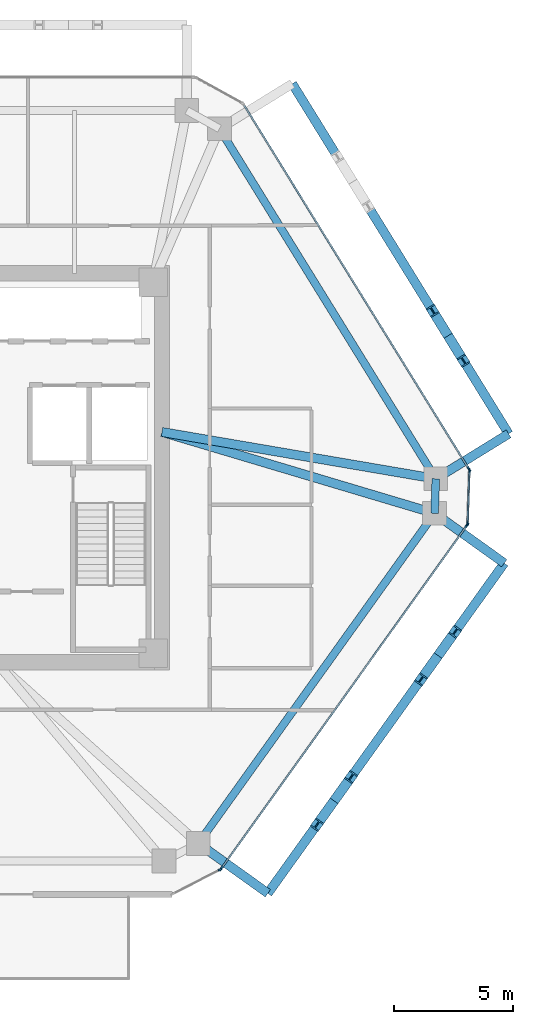
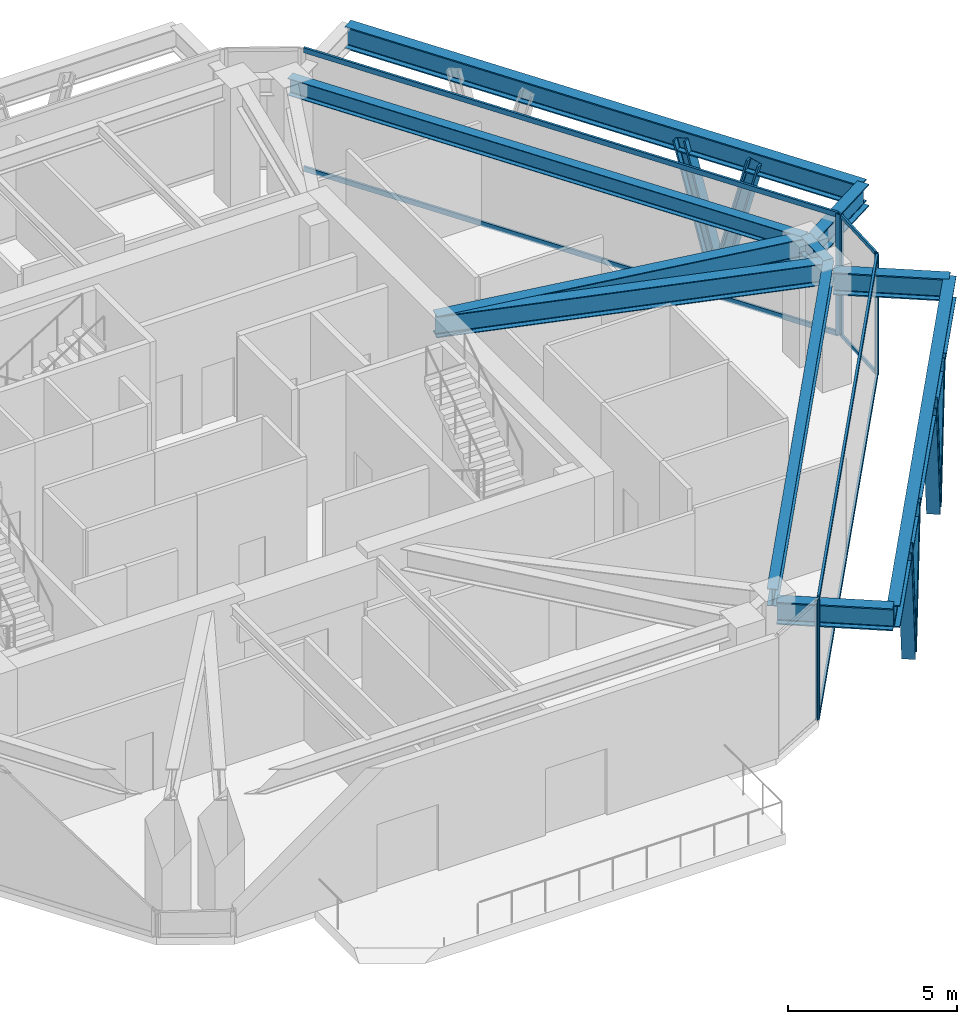
# One storey, part 5 of 12: 18 members, 10 beams, 4 elements without a shape of their own.
"""IFC4 building model written with IfcOpenShell, lengths in metres."""

import ifcopenshell
import ifcopenshell.guid

model = None  # the IFC model being written
_history = None  # IfcOwnerHistory: only IFC2X3 demands one
_inside = {}  # id of a spatial element -> (the spatial element, [elements in it])
_under = {}  # id of a project, library or spatial element -> (it, [spatial elements below it])
_declared = {}  # id of a project -> (the project, [libraries it declares])
_typed = {}  # id of a type object -> (the type object, [elements of that type])
_made_of = {}  # id of a material, layer set ... -> (it, [elements and type objects made of it])


def new_model(schema):
    """Start an empty IFC model of exactly this schema.

    Asked for "IFC4X3", IfcOpenShell would pick the latest addendum, in which some entities
    have other attributes; the version numbers below select the first issue.
    IFC2X3 requires an IfcOwnerHistory on every rooted entity: one is made here for all.
    """
    global model, _history
    if schema == "IFC4X3":
        model = ifcopenshell.file(schema_version=(4, 3, 0, 0))
    else:
        model = ifcopenshell.file(schema=schema)
    _inside.clear()
    _under.clear()
    _declared.clear()
    _typed.clear()
    _made_of.clear()
    _history = None
    if model.schema == "IFC2X3":
        org = make("IfcOrganization", Name="unknown")
        user = make(
            "IfcPersonAndOrganization",
            ThePerson=make("IfcPerson", FamilyName="unknown"),
            TheOrganization=org,
        )
        app = make(
            "IfcApplication",
            ApplicationDeveloper=org,
            Version="unknown",
            ApplicationFullName="unknown",
            ApplicationIdentifier="unknown",
        )
        _history = make(
            "IfcOwnerHistory",
            OwningUser=user,
            OwningApplication=app,
            ChangeAction="ADDED",
            CreationDate=0,
        )
    return model


def make(cls, **values):
    """One entity of the class cls with the attributes given. An attribute that is None is left unset."""
    return model.create_entity(
        cls, **{name: value for name, value in values.items() if value is not None}
    )


def rooted(cls, **values):
    """An entity with a GlobalId (a new one), such as an element, a storey or a relation."""
    return make(cls, GlobalId=ifcopenshell.guid.new(), OwnerHistory=_history, **values)


def si_unit(unit_type, name, prefix=None):
    """IfcSIUnit, for example si_unit("LENGTHUNIT", "METRE", prefix="MILLI")."""
    return make("IfcSIUnit", UnitType=unit_type, Prefix=prefix, Name=name)


def assignment(units):
    """IfcUnitAssignment: the units of a project."""
    return None if units is None else make("IfcUnitAssignment", Units=units)


def point(xyz):
    """IfcCartesianPoint."""
    return None if xyz is None else make("IfcCartesianPoint", Coordinates=xyz)


def direction(xyz):
    """IfcDirection."""
    return None if xyz is None else make("IfcDirection", DirectionRatios=xyz)


def frame(location, z_axis=None, x_axis=None):
    """IfcAxis2Placement3D, a coordinate frame: its origin and axes. An axis left out is left unset."""
    return make(
        "IfcAxis2Placement3D",
        Location=point(location),
        Axis=direction(z_axis),
        RefDirection=direction(x_axis),
    )


def frame_2d(location, x_axis=None):
    """IfcAxis2Placement2D, a coordinate frame in the plane: its origin and x axis."""
    return make(
        "IfcAxis2Placement2D", Location=point(location), RefDirection=direction(x_axis)
    )


def origin():
    """The frame at (0, 0, 0) with its axes left unset."""
    return frame((0.0, 0.0, 0.0))


def origin_2d():
    """The frame at (0, 0) in the plane with its x axis left unset."""
    return frame_2d((0.0, 0.0))


def place(relative_to, where):
    """IfcLocalPlacement: puts the frame where relative to a parent placement (None: the world)."""
    return make(
        "IfcLocalPlacement", PlacementRelTo=relative_to, RelativePlacement=where
    )


def context(
    kind, dimensions, precision=None, world=None, true_north=None, identifier=None
):
    """IfcGeometricRepresentationContext, for example the 3D "Model" context."""
    return make(
        "IfcGeometricRepresentationContext",
        ContextIdentifier=identifier,
        ContextType=kind,
        CoordinateSpaceDimension=dimensions,
        Precision=precision,
        WorldCoordinateSystem=world,
        TrueNorth=true_north,
    )


def subcontext(parent, identifier, kind, view, scale=None):
    """IfcGeometricRepresentationSubContext, for example "Body" below "Model"."""
    return make(
        "IfcGeometricRepresentationSubContext",
        ContextIdentifier=identifier,
        ContextType=kind,
        ParentContext=parent,
        TargetScale=scale,
        TargetView=view,
    )


def project(units=None, contexts=None):
    """IfcProject with its units and contexts."""
    return rooted(
        "IfcProject",
        Name="project",
        RepresentationContexts=contexts,
        UnitsInContext=assignment(units),
    )


def spatial(cls, under=None, at=None, **own):
    """A site, building, storey or space (cls), placed at a placement, below another one or the project."""
    s = rooted(cls, ObjectPlacement=at, **own)
    if under is not None:
        _under.setdefault(under.id(), (under, []))[1].append(s)
    return s


def profile(cls, at=None, kind="AREA", **sizes):
    """A parametric profile (cls). Its sizes go by their IFC names, for example OverallWidth=200.0."""
    return make(cls, ProfileType=kind, Position=at, **sizes)


def rectangle(**sizes):
    """IfcRectangleProfileDef."""
    return profile("IfcRectangleProfileDef", **sizes)


def i_section(**sizes):
    """IfcIShapeProfileDef."""
    return profile("IfcIShapeProfileDef", **sizes)


def extrude(swept, where, along, depth):
    """IfcExtrudedAreaSolid: the profile swept, set in the frame where, extruded along a direction by depth."""
    return make(
        "IfcExtrudedAreaSolid",
        SweptArea=swept,
        Position=where,
        ExtrudedDirection=direction(along),
        Depth=depth,
    )


def shape(context_of_items, identifier, shape_type, items):
    """IfcShapeRepresentation: the items that make up one representation, for example the "Body"."""
    return make(
        "IfcShapeRepresentation",
        ContextOfItems=context_of_items,
        RepresentationIdentifier=identifier,
        RepresentationType=shape_type,
        Items=items,
    )


def source(mapping_origin, context_of_items, identifier, shape_type, items):
    """IfcRepresentationMap: a shape defined once, which mapped items show again and again."""
    return make(
        "IfcRepresentationMap",
        MappingOrigin=mapping_origin,
        MappedRepresentation=shape(context_of_items, identifier, shape_type, items),
    )


def transform(
    local_origin,
    x_axis=None,
    y_axis=None,
    z_axis=None,
    scale=None,
    scale2=None,
    scale3=None,
    uniform=True,
):
    """IfcCartesianTransformationOperator3D, or its non-uniform kind. x_axis, y_axis, z_axis: its Axis1, 2, 3."""
    if uniform:
        return make(
            "IfcCartesianTransformationOperator3D",
            Axis1=direction(x_axis),
            Axis2=direction(y_axis),
            LocalOrigin=point(local_origin),
            Scale=scale,
            Axis3=direction(z_axis),
        )
    return make(
        "IfcCartesianTransformationOperator3DnonUniform",
        Axis1=direction(x_axis),
        Axis2=direction(y_axis),
        LocalOrigin=point(local_origin),
        Scale=scale,
        Axis3=direction(z_axis),
        Scale2=scale2,
        Scale3=scale3,
    )


def mapped(mapping_source, mapping_target):
    """IfcMappedItem: shows the shape of a source again, moved by a transform."""
    return make(
        "IfcMappedItem", MappingSource=mapping_source, MappingTarget=mapping_target
    )


def material(Name=None, Category=None):
    """IfcMaterial."""
    return make("IfcMaterial", Name=Name, Category=Category)


def layer(
    of_material, thickness, ventilated=None, Name=None, Category=None, Priority=None
):
    """IfcMaterialLayer: one layer of a wall or slab, of a material (None: an air gap)."""
    return make(
        "IfcMaterialLayer",
        Material=of_material,
        LayerThickness=thickness,
        IsVentilated=ventilated,
        Name=Name,
        Category=Category,
        Priority=Priority,
    )


def layer_set(layers, Name=None):
    """IfcMaterialLayerSet."""
    return make("IfcMaterialLayerSet", MaterialLayers=layers, LayerSetName=Name)


def material_profile(
    of_material, cross_section, Name=None, Category=None, Priority=None
):
    """IfcMaterialProfile: a cross section and its material."""
    return make(
        "IfcMaterialProfile",
        Name=Name,
        Material=of_material,
        Profile=cross_section,
        Priority=Priority,
        Category=Category,
    )


def profile_set(profiles, Name=None, composite=None):
    """IfcMaterialProfileSet."""
    return make(
        "IfcMaterialProfileSet",
        Name=Name,
        MaterialProfiles=profiles,
        CompositeProfile=composite,
    )


def made_of(thing, what):
    """Note that an element or type object is made of a material, layer set ...; save() writes the relation."""
    if what is not None:
        _made_of.setdefault(what.id(), (what, []))[1].append(thing)
    return thing


def type_object(cls, material=None, **own):
    """A type object (cls), such as IfcWallType, which elements share."""
    return made_of(rooted(cls, **own), material)


def type_shapes(of_type, sources):
    """Give a type object the sources (RepresentationMaps) that its elements show as mapped items."""
    of_type.RepresentationMaps = sources


def element(
    cls,
    number,
    at=None,
    inside=None,
    cuts=None,
    type_object=None,
    material=None,
    context=None,
    identifier="Body",
    shape_type=None,
    held_by="IfcProductDefinitionShape",
    body=None,
    shapes=None,
    **own,
):
    """One element of the class cls, such as IfcWall. Its Tag is "e" and its number.

    at: its placement. inside: the storey or other place that contains it. cuts: it is an
    opening in that element (IfcRelVoidsElement). A single representation is given by context,
    identifier, shape_type and body (its items); several are given by shapes. held_by: the class
    of the entity that holds the representations. save() writes the other relations.
    """
    e = rooted(cls, Tag="e%d" % number, ObjectPlacement=at, **own)
    if body is not None:
        shapes = [shape(context, identifier, shape_type, body)]
    if shapes is not None:
        e.Representation = make(held_by, Representations=shapes)
    if inside is not None:
        _inside.setdefault(inside.id(), (inside, []))[1].append(e)
    if cuts is not None:
        rooted(
            "IfcRelVoidsElement", RelatingBuildingElement=cuts, RelatedOpeningElement=e
        )
    if type_object is not None:
        _typed.setdefault(type_object.id(), (type_object, []))[1].append(e)
    return made_of(e, material)


def aggregate(whole, parts):
    """IfcRelAggregates: a whole, such as a stair, and the parts it consists of."""
    return rooted("IfcRelAggregates", RelatingObject=whole, RelatedObjects=parts)


def save(model, path):
    """Write the relations noted so far, then the file.

    IfcRelAggregates (storeys below a building ...), IfcRelContainedInSpatialStructure (elements
    in a storey), IfcRelDefinesByType, IfcRelAssociatesMaterial and IfcRelDeclares: one each for
    every whole, place, type object, material and project.
    """
    for whole, parts in _under.values():
        aggregate(whole, parts)
    for where, things in _inside.values():
        rooted(
            "IfcRelContainedInSpatialStructure",
            RelatedElements=things,
            RelatingStructure=where,
        )
    for kind, things in _typed.values():
        rooted("IfcRelDefinesByType", RelatedObjects=things, RelatingType=kind)
    for what, things in _made_of.values():
        rooted("IfcRelAssociatesMaterial", RelatedObjects=things, RelatingMaterial=what)
    for by, libraries in _declared.values():
        rooted("IfcRelDeclares", RelatingContext=by, RelatedDefinitions=libraries)
    model.write(path)


model = new_model("IFC4")

# Units and contexts
model_context = context("Model", 3, precision=1e-05, world=origin(), true_north=direction((0.0, 1.0)))
body_context = subcontext(model_context, "Body", "Model", "MODEL_VIEW")
ifc_project = project(units=[si_unit("LENGTHUNIT", "METRE"), si_unit("AREAUNIT", "SQUARE_METRE"), si_unit("VOLUMEUNIT", "CUBIC_METRE"), si_unit("PLANEANGLEUNIT", "RADIAN"), si_unit("MASSUNIT", "GRAM", prefix="KILO")], contexts=[model_context])

# Site, building, storey
site_placement = place(None, origin())
site = spatial("IfcSite", under=ifc_project, at=site_placement, CompositionType="ELEMENT")
building_placement = place(site_placement, origin())
building = spatial("IfcBuilding", under=site, at=building_placement, Name="Durnholm Broadcast Tower", CompositionType="ELEMENT")
storey_placement = place(building_placement, frame((0.0, 0.0, 162.60009765625)))
storey = spatial("IfcBuildingStorey", under=building, at=storey_placement, Name="L44", CompositionType="ELEMENT", Elevation=162.60009765625)

# Beams
ifc_material_1 = material(Name="Steel ASTM A992 Grade 50", Category="steel")
ifc_material_profile_1 = material_profile(ifc_material_1, i_section(OverallWidth=0.385009765625, OverallDepth=0.802978515625, WebThickness=0.023681640625, FlangeThickness=0.0419921875, FilletRadius=0.032958984375, at=origin_2d()), Name="W30X261")
ifc_profile_set_1 = profile_set([ifc_material_profile_1], Name="Steel ASTM A992 Grade 50")
beam_type_1 = type_object("IfcBeamType", Name="BM-EXO-TIE", PredefinedType="USERDEFINED", material=ifc_profile_set_1)
shared_shape_1 = source(origin(), body_context, "Body", "SweptSolid", [
    extrude(i_section(OverallWidth=0.385009765625, OverallDepth=0.802978515625, WebThickness=0.023681640625, FlangeThickness=0.0419921875, FilletRadius=0.032958984375, at=origin_2d()), origin(), (0.0, 0.0, 1.0), 3.4560546875),
])
for number, where, z_axis, x_axis, name in (
    (1, (11.81689453125, -15.884033203125, 3.6083984375), (0.813079048773, -0.582153296346, 0.0), (0.582153296346, 0.813079048773, 0.0), "L44 exoskeleton stand-off tie bracket F2.1"),
    (2, (21.7548828125, -2.00341796875, 3.6083984375), (0.813079048773, -0.582153296346, 0.0), (0.582153296346, 0.813079048773, 0.0), "L44 exoskeleton stand-off tie bracket F2.2"),
    (3, (21.8095703125, -0.3916015625, 3.6083984375), (0.850662348375, 0.525712439512, 0.0), (-0.525712439512, 0.850662348375, 0.0), "L44 exoskeleton stand-off tie bracket F3.1"),
):
    element("IfcBeam", number, at=place(storey_placement, frame(where, z_axis=z_axis, x_axis=x_axis)), inside=storey, type_object=beam_type_1, Name=name, ObjectType="GIRDER", PredefinedType="USERDEFINED", context=body_context, shape_type="MappedRepresentation", body=[
        mapped(shared_shape_1, transform((0.0, 0.0, 0.0), x_axis=(1.0, 0.0, 0.0), y_axis=(0.0, 1.0, 0.0), z_axis=(0.0, 0.0, 1.0), scale=1.0)),
    ])
ifc_material_profile_2 = material_profile(ifc_material_1, i_section(OverallWidth=0.3251953125, OverallDepth=0.6162109375, WebThickness=0.013916015625, FlangeThickness=0.021484375, FilletRadius=0.02783203125, at=origin_2d()), Name="W24X117")
ifc_profile_set_2 = profile_set([ifc_material_profile_2], Name="Steel ASTM A992 Grade 50")
beam_type_2 = type_object("IfcBeamType", Name="STL-SP-W24X117", PredefinedType="SPANDREL", material=ifc_profile_set_2)
shared_shape_2 = source(origin(), body_context, "Body", "SweptSolid", [
    extrude(i_section(OverallWidth=0.3251953125, OverallDepth=0.6162109375, WebThickness=0.013916015625, FlangeThickness=0.021484375, FilletRadius=0.02783203125, at=origin_2d()), origin(), (0.0, 0.0, 1.0), 17.30322265625),
])
beam_1_placement = place(storey_placement, frame((12.5908203125, 14.252197265625, 4.036865234375), z_axis=(0.525691424148, -0.850675335588, 0.0), x_axis=(0.850675335588, 0.525691424148, 0.0)))
element("IfcBeam", 4, at=beam_1_placement, inside=storey, type_object=beam_type_2, Name="L44 perimeter spandrel girder 07", PredefinedType="SPANDREL", context=body_context, shape_type="MappedRepresentation", body=[
    mapped(shared_shape_2, transform((0.0, 0.0, 0.0), x_axis=(1.0, 0.0, 0.0), y_axis=(0.0, 1.0, 0.0), z_axis=(0.0, 0.0, 1.0), scale=1.0)),
])
shared_shape_3 = source(origin(), body_context, "Body", "SweptSolid", [
    extrude(i_section(OverallWidth=0.3251953125, OverallDepth=0.6162109375, WebThickness=0.013916015625, FlangeThickness=0.021484375, FilletRadius=0.02783203125, at=origin_2d()), origin(), (0.0, 0.0, 1.0), 1.453125),
])
beam_2_placement = place(storey_placement, frame((21.68701171875, -0.46728515625, 4.036865234375), z_axis=(-0.033767922326, -0.99942970109, 0.0), x_axis=(0.99942970109, -0.033767922326, 0.0)))
element("IfcBeam", 5, at=beam_2_placement, inside=storey, type_object=beam_type_2, Name="L44 perimeter spandrel girder 08", PredefinedType="SPANDREL", context=body_context, shape_type="MappedRepresentation", body=[
    mapped(shared_shape_3, transform((0.0, 0.0, 0.0), x_axis=(1.0, 0.0, 0.0), y_axis=(0.0, 1.0, 0.0), z_axis=(0.0, 0.0, 1.0), scale=1.0)),
])
shared_shape_4 = source(origin(), body_context, "Body", "SweptSolid", [
    extrude(i_section(OverallWidth=0.3251953125, OverallDepth=0.6162109375, WebThickness=0.013916015625, FlangeThickness=0.021484375, FilletRadius=0.02783203125, at=origin_2d()), origin(), (0.0, 0.0, 1.0), 17.071533203125),
])
type_shapes(beam_type_2, [shared_shape_2, shared_shape_3, shared_shape_4])
beam_3_placement = place(storey_placement, frame((21.637939453125, -1.919677734375, 4.036865234375), z_axis=(-0.582149612352, -0.813081686449, 0.0), x_axis=(0.813081686449, -0.582149612352, 0.0)))
element("IfcBeam", 6, at=beam_3_placement, inside=storey, type_object=beam_type_2, Name="L44 perimeter spandrel girder 09", PredefinedType="SPANDREL", context=body_context, shape_type="MappedRepresentation", body=[
    mapped(shared_shape_4, transform((0.0, 0.0, 0.0), x_axis=(1.0, 0.0, 0.0), y_axis=(0.0, 1.0, 0.0), z_axis=(0.0, 0.0, 1.0), scale=1.0)),
])
shared_shape_5 = source(origin(), body_context, "Body", "SweptSolid", [
    extrude(i_section(OverallWidth=0.385009765625, OverallDepth=0.802978515625, WebThickness=0.023681640625, FlangeThickness=0.0419921875, FilletRadius=0.032958984375, at=origin_2d()), origin(), (0.0, 0.0, 1.0), 17.071533203125),
])
beam_4_placement = place(storey_placement, frame((14.626953125, -17.89599609375, 3.6083984375), z_axis=(0.582140157836, 0.813088455603, 0.0), x_axis=(-0.813088455603, 0.582140157836, 0.0)))
element("IfcBeam", 7, at=beam_4_placement, inside=storey, type_object=beam_type_1, Name="L44 exoskeleton collector spandrel F2", PredefinedType="SPANDREL", context=body_context, shape_type="MappedRepresentation", body=[
    mapped(shared_shape_5, transform((0.0, 0.0, 0.0), x_axis=(1.0, 0.0, 0.0), y_axis=(0.0, 1.0, 0.0), z_axis=(0.0, 0.0, 1.0), scale=1.0)),
])
shared_shape_6 = source(origin(), body_context, "Body", "SweptSolid", [
    extrude(i_section(OverallWidth=0.385009765625, OverallDepth=0.802978515625, WebThickness=0.023681640625, FlangeThickness=0.0419921875, FilletRadius=0.032958984375, at=origin_2d()), origin(), (0.0, 0.0, 1.0), 17.303466796875),
])
type_shapes(beam_type_1, [shared_shape_1, shared_shape_5, shared_shape_6])
beam_5_placement = place(storey_placement, frame((24.74951171875, 1.42529296875, 3.6083984375), z_axis=(-0.525701634347, 0.850669025911, 0.0), x_axis=(-0.850669025911, -0.525701634347, 0.0)))
element("IfcBeam", 8, at=beam_5_placement, inside=storey, type_object=beam_type_1, Name="L44 exoskeleton collector spandrel F3", PredefinedType="SPANDREL", context=body_context, shape_type="MappedRepresentation", body=[
    mapped(shared_shape_6, transform((0.0, 0.0, 0.0), x_axis=(1.0, 0.0, 0.0), y_axis=(0.0, 1.0, 0.0), z_axis=(0.0, 0.0, 1.0), scale=1.0)),
])
ifc_material_profile_3 = material_profile(ifc_material_1, i_section(OverallWidth=0.380615234375, OverallDepth=0.773193359375, WebThickness=0.0166015625, FlangeThickness=0.027099609375, FilletRadius=0.032958984375, at=origin_2d()), Name="W30X173")
ifc_profile_set_3 = profile_set([ifc_material_profile_3], Name="Steel ASTM A992 Grade 50")
beam_type_3 = type_object("IfcBeamType", Name="STL-GR-W30X173", PredefinedType="USERDEFINED", material=ifc_profile_set_3)
shared_shape_7 = source(origin(), body_context, "Body", "SweptSolid", [
    extrude(i_section(OverallWidth=0.380615234375, OverallDepth=0.773193359375, WebThickness=0.0166015625, FlangeThickness=0.027099609375, FilletRadius=0.032958984375, at=origin_2d()), origin(), (0.0, 0.0, 1.0), 11.678955078125),
])
beam_6_placement = place(storey_placement, frame((10.175048828125, 1.5, 3.958251953125), z_axis=(0.985710446264, -0.168448556317, 0.0), x_axis=(0.168448556317, 0.985710446264, 0.0)))
element("IfcBeam", 9, at=beam_6_placement, inside=storey, type_object=beam_type_3, Name="L44 radial primary floor girder 08", ObjectType="GIRDER", PredefinedType="USERDEFINED", context=body_context, shape_type="MappedRepresentation", body=[
    mapped(shared_shape_7, transform((0.0, 0.0, 0.0), x_axis=(1.0, 0.0, 0.0), y_axis=(0.0, 1.0, 0.0), z_axis=(0.0, 0.0, 1.0), scale=1.0)),
])
shared_shape_8 = source(origin(), body_context, "Body", "SweptSolid", [
    extrude(i_section(OverallWidth=0.380615234375, OverallDepth=0.773193359375, WebThickness=0.0166015625, FlangeThickness=0.027099609375, FilletRadius=0.032958984375, at=origin_2d()), origin(), (0.0, 0.0, 1.0), 11.962158203125),
])
type_shapes(beam_type_3, [shared_shape_7, shared_shape_8])
beam_7_placement = place(storey_placement, frame((10.175048828125, 1.5, 3.958251953125), z_axis=(0.958266673737, -0.285875815706, 0.0), x_axis=(0.285875815706, 0.958266673737, 0.0)))
element("IfcBeam", 10, at=beam_7_placement, inside=storey, type_object=beam_type_3, Name="L44 radial primary floor girder 09", ObjectType="GIRDER", PredefinedType="USERDEFINED", context=body_context, shape_type="MappedRepresentation", body=[
    mapped(shared_shape_8, transform((0.0, 0.0, 0.0), x_axis=(1.0, 0.0, 0.0), y_axis=(0.0, 1.0, 0.0), z_axis=(0.0, 0.0, 1.0), scale=1.0)),
])

# Members
ifc_material_2 = material(Name="Steel ASTM A913 Grade 65", Category="steel")
ifc_material_profile_4 = material_profile(ifc_material_2, i_section(OverallWidth=0.412109375, OverallDepth=0.434814453125, WebThickness=0.035888671875, FlangeThickness=0.057373046875, FilletRadius=0.030517578125, at=origin_2d()), Name="W14X311")
ifc_profile_set_4 = profile_set([ifc_material_profile_4], Name="Steel ASTM A913 Grade 65")
member_type_1 = type_object("IfcMemberType", Name="STL-DG-W14X311", PredefinedType="BRACE", material=ifc_profile_set_4)
shared_shape_9 = source(origin(), body_context, "Body", "SweptSolid", [
    extrude(i_section(OverallWidth=0.412109375, OverallDepth=0.434814453125, WebThickness=0.035888671875, FlangeThickness=0.057373046875, FilletRadius=0.030517578125, at=origin_2d()), origin(), (0.0, 0.0, 1.0), 4.83984375),
])
type_shapes(member_type_1, [shared_shape_9])
for number, where, z_axis, x_axis, name in (
    (11, (17.40966796875, -14.009521484375, -1.071533203125), (-0.148406193474, -0.207274319845, 0.966960680727), (0.813077820009, -0.582155012526, 0.0), "L44 stand-off diagrid brace F2.D1.1"),
    (12, (17.40966796875, -14.009521484375, -1.071533203125), (0.148406193474, 0.207274319845, 0.966960680727), (-0.813077820009, 0.582155012526, 0.0), "L44 stand-off diagrid brace F2.D1.2"),
    (13, (21.782470703125, -7.90185546875, -1.071533203125), (-0.148406193474, -0.207274319845, 0.966960680727), (0.813077820009, -0.582155012526, 0.0), "L44 stand-off diagrid brace F2.D2.1"),
    (14, (21.782470703125, -7.90185546875, -1.071533203125), (0.148356859937, 0.207275871295, 0.966967918438), (-0.813171482985, 0.58202417412, 0.0), "L44 stand-off diagrid brace F2.D2.2"),
    (15, (22.202392578125, 5.546875, -1.071533203125), (0.134029350958, -0.21685817831, 0.966958460112), (0.850644447398, 0.525741404219, 0.0), "L44 stand-off diagrid brace F3.D1.1"),
    (16, (22.202392578125, 5.546875, -1.071533203125), (-0.133981278258, 0.216811571518, 0.96697557339), (-0.85067825406, -0.525686701439, 0.0), "L44 stand-off diagrid brace F3.D1.2"),
):
    element("IfcMember", number, at=place(storey_placement, frame(where, z_axis=z_axis, x_axis=x_axis)), inside=storey, type_object=member_type_1, Name=name, PredefinedType="BRACE", context=body_context, shape_type="MappedRepresentation", body=[
        mapped(shared_shape_9, transform((0.0, 0.0, 0.0), x_axis=(1.0, 0.0, 0.0), y_axis=(0.0, 1.0, 0.0), z_axis=(0.0, 0.0, 1.0), scale=1.0)),
    ])

# Curtain wall, members
ifc_material_3 = material(Name="Aluminium and Solar Control IGU", Category="aluminium")
ifc_layer_1 = layer(ifc_material_3, 0.219970703125)
ifc_layer_set_1 = layer_set([ifc_layer_1], Name="Aluminium and Solar Control IGU")
curtain_wall_type_1 = type_object("IfcCurtainWallType", Name="CW-SYS-6", PredefinedType="NOTDEFINED", material=ifc_layer_set_1)
curtain_wall_1_placement = place(storey_placement, origin())
curtain_wall_1 = element("IfcCurtainWall", 17, at=curtain_wall_1_placement, inside=storey, type_object=curtain_wall_type_1, Name="L44 curtain wall CW-AMENITY CW-L44-F08", PredefinedType="NOTDEFINED")
ifc_material_4 = material(Name="Aluminium 6063-T6", Category="aluminium")
ifc_material_profile_5 = material_profile(ifc_material_4, rectangle(XDim=0.074951171875, YDim=0.179931640625, at=origin_2d()), Name="CWT75X180")
ifc_profile_set_5 = profile_set([ifc_material_profile_5], Name="Aluminium 6063-T6")
member_type_2 = type_object("IfcMemberType", Name="CW-SYS-6-TRN", PredefinedType="USERDEFINED", material=ifc_profile_set_5)
shared_shape_10 = source(origin(), body_context, "Body", "SweptSolid", [
    extrude(rectangle(XDim=0.074951171875, YDim=0.179931640625, at=origin_2d()), origin(), (0.0, 0.0, 1.0), 17.683837890625),
])
member_1_placement = place(storey_placement, frame((22.97900390625, -2.451171875, 0.037353515625), z_axis=(-0.582135030354, -0.813092126659, 0.0), x_axis=(0.813092126659, -0.582135030354, 0.0)))
member_1 = element("IfcMember", 18, at=member_1_placement, type_object=member_type_2, Name="CW-AMENITY transom 1.1", ObjectType="TRANSOM", PredefinedType="USERDEFINED", context=body_context, shape_type="MappedRepresentation", body=[
    mapped(shared_shape_10, transform((0.0, 0.0, 0.0), x_axis=(1.0, 0.0, 0.0), y_axis=(0.0, 1.0, 0.0), z_axis=(0.0, 0.0, 1.0), scale=1.0)),
])
member_2_placement = place(storey_placement, frame((22.97900390625, -2.451171875, 4.322509765625), z_axis=(-0.582135030354, -0.813092126659, 0.0), x_axis=(0.813092126659, -0.582135030354, 0.0)))
member_2 = element("IfcMember", 19, at=member_2_placement, type_object=member_type_2, Name="CW-AMENITY transom 1.2", ObjectType="TRANSOM", PredefinedType="USERDEFINED", context=body_context, shape_type="MappedRepresentation", body=[
    mapped(shared_shape_10, transform((0.0, 0.0, 0.0), x_axis=(1.0, 0.0, 0.0), y_axis=(0.0, 1.0, 0.0), z_axis=(0.0, 0.0, 1.0), scale=1.0)),
])

curtain_wall_2_placement = place(storey_placement, origin())
curtain_wall_2 = element("IfcCurtainWall", 20, at=curtain_wall_2_placement, inside=storey, type_object=curtain_wall_type_1, Name="L44 curtain wall CW-AMENITY CW-L44-F06", PredefinedType="NOTDEFINED")
shared_shape_11 = source(origin(), body_context, "Body", "SweptSolid", [
    extrude(rectangle(XDim=0.074951171875, YDim=0.179931640625, at=origin_2d()), origin(), (0.0, 0.0, 1.0), 17.941162109375),
])
type_shapes(member_type_2, [shared_shape_10, shared_shape_11])
member_3_placement = place(storey_placement, frame((13.629638671875, 15.234130859375, 0.037353515625), z_axis=(0.52570000842, -0.850670030709, 0.0), x_axis=(0.850670030709, 0.52570000842, 0.0)))
member_3 = element("IfcMember", 21, at=member_3_placement, type_object=member_type_2, Name="CW-AMENITY transom 1.1", ObjectType="TRANSOM", PredefinedType="USERDEFINED", context=body_context, shape_type="MappedRepresentation", body=[
    mapped(shared_shape_11, transform((0.0, 0.0, 0.0), x_axis=(1.0, 0.0, 0.0), y_axis=(0.0, 1.0, 0.0), z_axis=(0.0, 0.0, 1.0), scale=1.0)),
])
member_4_placement = place(storey_placement, frame((13.629638671875, 15.234130859375, 4.322509765625), z_axis=(0.52570000842, -0.850670030709, 0.0), x_axis=(0.850670030709, 0.52570000842, 0.0)))
member_4 = element("IfcMember", 22, at=member_4_placement, type_object=member_type_2, Name="CW-AMENITY transom 1.2", ObjectType="TRANSOM", PredefinedType="USERDEFINED", context=body_context, shape_type="MappedRepresentation", body=[
    mapped(shared_shape_11, transform((0.0, 0.0, 0.0), x_axis=(1.0, 0.0, 0.0), y_axis=(0.0, 1.0, 0.0), z_axis=(0.0, 0.0, 1.0), scale=1.0)),
])

ifc_layer_2 = layer(ifc_material_3, 0.1650390625)
ifc_layer_set_2 = layer_set([ifc_layer_2], Name="Aluminium and Solar Control IGU")
curtain_wall_type_2 = type_object("IfcCurtainWallType", Name="CW-SYS-5", PredefinedType="NOTDEFINED", material=ifc_layer_set_2)
curtain_wall_3_placement = place(storey_placement, origin())
curtain_wall_3 = element("IfcCurtainWall", 23, at=curtain_wall_3_placement, inside=storey, type_object=curtain_wall_type_2, Name="L44 curtain wall CW-CORNER CW-L44-CRN-07", PredefinedType="NOTDEFINED")
ifc_material_profile_6 = material_profile(ifc_material_4, rectangle(XDim=0.06494140625, YDim=0.1298828125, at=origin_2d()), Name="CWT65X130")
ifc_profile_set_6 = profile_set([ifc_material_profile_6], Name="Aluminium 6063-T6")
member_type_3 = type_object("IfcMemberType", Name="CW-SYS-5-TRN", PredefinedType="USERDEFINED", material=ifc_profile_set_6)
shared_shape_12 = source(origin(), body_context, "Body", "SweptSolid", [
    extrude(rectangle(XDim=0.06494140625, YDim=0.1298828125, at=origin_2d()), origin(), (0.0, 0.0, 1.0), 2.170166015625),
])
type_shapes(member_type_3, [shared_shape_12])
member_5_placement = place(storey_placement, frame((23.098388671875, -0.156494140625, 0.032470703125), z_axis=(-0.033861704743, -0.999426528041, 0.0), x_axis=(0.999426528041, -0.033861704743, 0.0)))
member_5 = element("IfcMember", 24, at=member_5_placement, type_object=member_type_3, Name="CW-CORNER transom 1.1", ObjectType="TRANSOM", PredefinedType="USERDEFINED", context=body_context, shape_type="MappedRepresentation", body=[
    mapped(shared_shape_12, transform((0.0, 0.0, 0.0), x_axis=(1.0, 0.0, 0.0), y_axis=(0.0, 1.0, 0.0), z_axis=(0.0, 0.0, 1.0), scale=1.0)),
])
member_6_placement = place(storey_placement, frame((23.098388671875, -0.156494140625, 4.327392578125), z_axis=(-0.033861704743, -0.999426528041, 0.0), x_axis=(0.999426528041, -0.033861704743, 0.0)))
member_6 = element("IfcMember", 25, at=member_6_placement, type_object=member_type_3, Name="CW-CORNER transom 1.2", ObjectType="TRANSOM", PredefinedType="USERDEFINED", context=body_context, shape_type="MappedRepresentation", body=[
    mapped(shared_shape_12, transform((0.0, 0.0, 0.0), x_axis=(1.0, 0.0, 0.0), y_axis=(0.0, 1.0, 0.0), z_axis=(0.0, 0.0, 1.0), scale=1.0)),
])
ifc_material_profile_7 = material_profile(ifc_material_4, rectangle(XDim=0.06494140625, YDim=0.1650390625, at=origin_2d()), Name="CWM65X165")
ifc_profile_set_7 = profile_set([ifc_material_profile_7], Name="Aluminium 6063-T6")
member_type_4 = type_object("IfcMemberType", Name="CW-SYS-5-MUL", PredefinedType="MULLION", material=ifc_profile_set_7)
shared_shape_13 = source(origin(), body_context, "Body", "SweptSolid", [
    extrude(rectangle(XDim=0.06494140625, YDim=0.1650390625, at=origin_2d()), origin(), (0.0, 0.0, 1.0), 4.35986328125),
])
type_shapes(member_type_4, [shared_shape_13])
member_7_placement = place(storey_placement, frame((23.099609375, -0.1240234375, 0.0), z_axis=(0.0, 0.0, 1.0), x_axis=(0.999424798802, -0.033912704699, 0.0)))
member_7 = element("IfcMember", 26, at=member_7_placement, type_object=member_type_4, Name="CW-CORNER mullion 1", PredefinedType="MULLION", context=body_context, shape_type="MappedRepresentation", body=[
    mapped(shared_shape_13, transform((0.0, 0.0, 0.0), x_axis=(1.0, 0.0, 0.0), y_axis=(0.0, 1.0, 0.0), z_axis=(0.0, 0.0, 1.0), scale=1.0)),
])
member_8_placement = place(storey_placement, frame((23.023681640625, -2.35791015625, 0.0), z_axis=(0.0, 0.0, 1.0), x_axis=(0.999424798802, -0.033912704699, 0.0)))
member_8 = element("IfcMember", 27, at=member_8_placement, type_object=member_type_4, Name="CW-CORNER mullion 2", PredefinedType="MULLION", context=body_context, shape_type="MappedRepresentation", body=[
    mapped(shared_shape_13, transform((0.0, 0.0, 0.0), x_axis=(1.0, 0.0, 0.0), y_axis=(0.0, 1.0, 0.0), z_axis=(0.0, 0.0, 1.0), scale=1.0)),
])
aggregate(curtain_wall_3, [member_7, member_8, member_5, member_6])

# Curtain wall, member
curtain_wall_4_placement = place(storey_placement, origin())
curtain_wall_4 = element("IfcCurtainWall", 28, at=curtain_wall_4_placement, inside=storey, type_object=curtain_wall_type_2, Name="L44 curtain wall CW-CORNER CW-L44-CRN-09", PredefinedType="NOTDEFINED")
member_9_placement = place(storey_placement, frame((12.612060546875, -16.905517578125, 0.0), z_axis=(0.0, 0.0, 1.0), x_axis=(0.457081764476, -0.889424679545, 0.0)))
member_9 = element("IfcMember", 29, at=member_9_placement, type_object=member_type_4, Name="CW-CORNER mullion 1", PredefinedType="MULLION", context=body_context, shape_type="MappedRepresentation", body=[
    mapped(shared_shape_13, transform((0.0, 0.0, 0.0), x_axis=(1.0, 0.0, 0.0), y_axis=(0.0, 1.0, 0.0), z_axis=(0.0, 0.0, 1.0), scale=1.0)),
])
aggregate(curtain_wall_4, [member_9])

# Member
ifc_material_profile_8 = material_profile(ifc_material_4, rectangle(XDim=0.074951171875, YDim=0.219970703125, at=origin_2d()), Name="CWM75X220")
ifc_profile_set_8 = profile_set([ifc_material_profile_8], Name="Aluminium 6063-T6")
member_type_5 = type_object("IfcMemberType", Name="CW-SYS-6-MUL", PredefinedType="MULLION", material=ifc_profile_set_8)
shared_shape_14 = source(origin(), body_context, "Body", "SweptSolid", [
    extrude(rectangle(XDim=0.074951171875, YDim=0.219970703125, at=origin_2d()), origin(), (0.0, 0.0, 1.0), 4.35986328125),
])
type_shapes(member_type_5, [shared_shape_14])
member_10_placement = place(storey_placement, frame((23.0810546875, -0.059814453125, 0.0), z_axis=(0.0, 0.0, 1.0), x_axis=(0.850671426092, 0.525697750452, 0.0)))
member_10 = element("IfcMember", 30, at=member_10_placement, type_object=member_type_5, Name="CW-AMENITY mullion 2", PredefinedType="MULLION", context=body_context, shape_type="MappedRepresentation", body=[
    mapped(shared_shape_14, transform((0.0, 0.0, 0.0), x_axis=(1.0, 0.0, 0.0), y_axis=(0.0, 1.0, 0.0), z_axis=(0.0, 0.0, 1.0), scale=1.0)),
])

aggregate(curtain_wall_2, [member_10, member_3, member_4])

member_11_placement = place(storey_placement, frame((23.0009765625, -2.4208984375, 0.0), z_axis=(0.0, 0.0, 1.0), x_axis=(0.813089262696, -0.582139030549, 0.0)))
member_11 = element("IfcMember", 31, at=member_11_placement, type_object=member_type_5, Name="CW-AMENITY mullion 1", PredefinedType="MULLION", context=body_context, shape_type="MappedRepresentation", body=[
    mapped(shared_shape_14, transform((0.0, 0.0, 0.0), x_axis=(1.0, 0.0, 0.0), y_axis=(0.0, 1.0, 0.0), z_axis=(0.0, 0.0, 1.0), scale=1.0)),
])

member_12_placement = place(storey_placement, frame((12.662841796875, -16.860107421875, 0.0), z_axis=(0.0, 0.0, 1.0), x_axis=(0.813089262696, -0.582139030549, 0.0)))
member_12 = element("IfcMember", 32, at=member_12_placement, type_object=member_type_5, Name="CW-AMENITY mullion 2", PredefinedType="MULLION", context=body_context, shape_type="MappedRepresentation", body=[
    mapped(shared_shape_14, transform((0.0, 0.0, 0.0), x_axis=(1.0, 0.0, 0.0), y_axis=(0.0, 1.0, 0.0), z_axis=(0.0, 0.0, 1.0), scale=1.0)),
])

aggregate(curtain_wall_1, [member_11, member_12, member_1, member_2])

save(model, "model.ifc")
